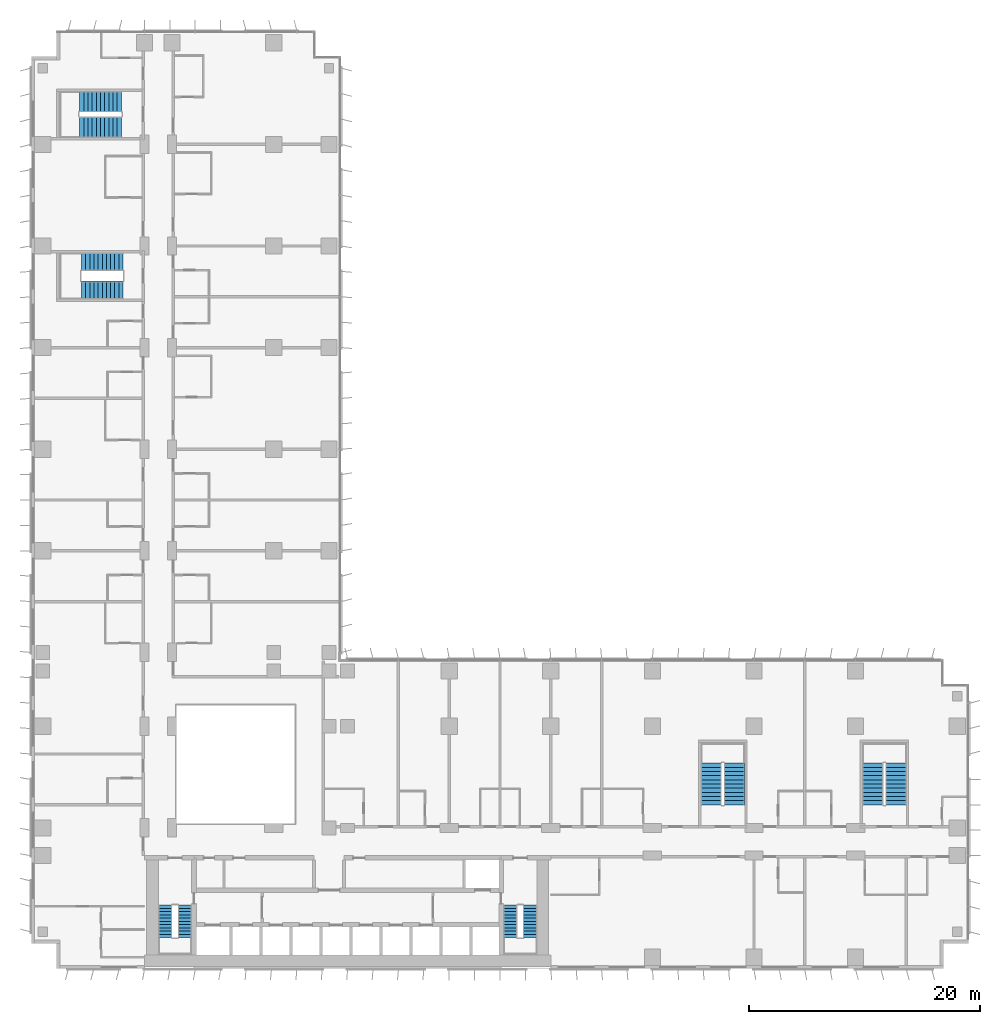
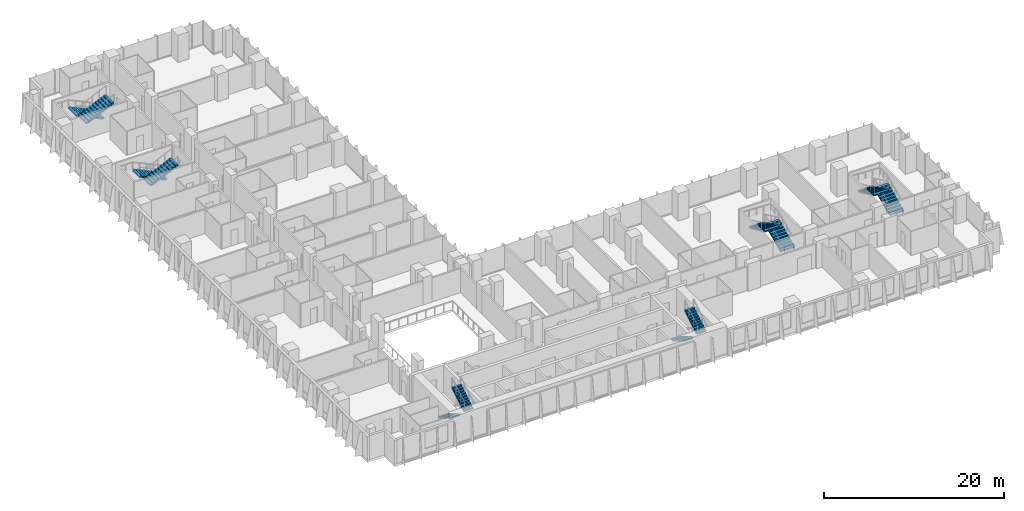
# One storey, part 19 of 23: 12 stair flights, 6 elements without a shape of their own.
"""IFC4 building model written with IfcOpenShell, lengths in metres."""

import ifcopenshell
import ifcopenshell.guid

model = None  # the IFC model being written
_history = None  # IfcOwnerHistory: only IFC2X3 demands one
_inside = {}  # id of a spatial element -> (the spatial element, [elements in it])
_under = {}  # id of a project, library or spatial element -> (it, [spatial elements below it])
_declared = {}  # id of a project -> (the project, [libraries it declares])
_typed = {}  # id of a type object -> (the type object, [elements of that type])
_made_of = {}  # id of a material, layer set ... -> (it, [elements and type objects made of it])


def new_model(schema):
    """Start an empty IFC model of exactly this schema.

    Asked for "IFC4X3", IfcOpenShell would pick the latest addendum, in which some entities
    have other attributes; the version numbers below select the first issue.
    IFC2X3 requires an IfcOwnerHistory on every rooted entity: one is made here for all.
    """
    global model, _history
    if schema == "IFC4X3":
        model = ifcopenshell.file(schema_version=(4, 3, 0, 0))
    else:
        model = ifcopenshell.file(schema=schema)
    _inside.clear()
    _under.clear()
    _declared.clear()
    _typed.clear()
    _made_of.clear()
    _history = None
    if model.schema == "IFC2X3":
        org = make("IfcOrganization", Name="unknown")
        user = make(
            "IfcPersonAndOrganization",
            ThePerson=make("IfcPerson", FamilyName="unknown"),
            TheOrganization=org,
        )
        app = make(
            "IfcApplication",
            ApplicationDeveloper=org,
            Version="unknown",
            ApplicationFullName="unknown",
            ApplicationIdentifier="unknown",
        )
        _history = make(
            "IfcOwnerHistory",
            OwningUser=user,
            OwningApplication=app,
            ChangeAction="ADDED",
            CreationDate=0,
        )
    return model


def make(cls, **values):
    """One entity of the class cls with the attributes given. An attribute that is None is left unset."""
    return model.create_entity(
        cls, **{name: value for name, value in values.items() if value is not None}
    )


def rooted(cls, **values):
    """An entity with a GlobalId (a new one), such as an element, a storey or a relation."""
    return make(cls, GlobalId=ifcopenshell.guid.new(), OwnerHistory=_history, **values)


def si_unit(unit_type, name, prefix=None):
    """IfcSIUnit, for example si_unit("LENGTHUNIT", "METRE", prefix="MILLI")."""
    return make("IfcSIUnit", UnitType=unit_type, Prefix=prefix, Name=name)


def assignment(units):
    """IfcUnitAssignment: the units of a project."""
    return None if units is None else make("IfcUnitAssignment", Units=units)


def point(xyz):
    """IfcCartesianPoint."""
    return None if xyz is None else make("IfcCartesianPoint", Coordinates=xyz)


def direction(xyz):
    """IfcDirection."""
    return None if xyz is None else make("IfcDirection", DirectionRatios=xyz)


def frame(location, z_axis=None, x_axis=None):
    """IfcAxis2Placement3D, a coordinate frame: its origin and axes. An axis left out is left unset."""
    return make(
        "IfcAxis2Placement3D",
        Location=point(location),
        Axis=direction(z_axis),
        RefDirection=direction(x_axis),
    )


def origin():
    """The frame at (0, 0, 0) with its axes left unset."""
    return frame((0.0, 0.0, 0.0))


def place(relative_to, where):
    """IfcLocalPlacement: puts the frame where relative to a parent placement (None: the world)."""
    return make(
        "IfcLocalPlacement", PlacementRelTo=relative_to, RelativePlacement=where
    )


def context(
    kind, dimensions, precision=None, world=None, true_north=None, identifier=None
):
    """IfcGeometricRepresentationContext, for example the 3D "Model" context."""
    return make(
        "IfcGeometricRepresentationContext",
        ContextIdentifier=identifier,
        ContextType=kind,
        CoordinateSpaceDimension=dimensions,
        Precision=precision,
        WorldCoordinateSystem=world,
        TrueNorth=true_north,
    )


def subcontext(parent, identifier, kind, view, scale=None):
    """IfcGeometricRepresentationSubContext, for example "Body" below "Model"."""
    return make(
        "IfcGeometricRepresentationSubContext",
        ContextIdentifier=identifier,
        ContextType=kind,
        ParentContext=parent,
        TargetScale=scale,
        TargetView=view,
    )


def project(units=None, contexts=None):
    """IfcProject with its units and contexts."""
    return rooted(
        "IfcProject",
        Name="project",
        RepresentationContexts=contexts,
        UnitsInContext=assignment(units),
    )


def spatial(cls, under=None, at=None, **own):
    """A site, building, storey or space (cls), placed at a placement, below another one or the project."""
    s = rooted(cls, ObjectPlacement=at, **own)
    if under is not None:
        _under.setdefault(under.id(), (under, []))[1].append(s)
    return s


def polyline(points):
    """IfcPolyline through the points."""
    return make("IfcPolyline", Points=[point(p) for p in points])


def outline(outer, holes=None, kind="AREA"):
    """IfcArbitraryClosedProfileDef: a profile drawn as a closed curve; with holes, ...WithVoids."""
    if holes is None:
        return make("IfcArbitraryClosedProfileDef", ProfileType=kind, OuterCurve=outer)
    return make(
        "IfcArbitraryProfileDefWithVoids",
        ProfileType=kind,
        OuterCurve=outer,
        InnerCurves=holes,
    )


def extrude(swept, where, along, depth):
    """IfcExtrudedAreaSolid: the profile swept, set in the frame where, extruded along a direction by depth."""
    return make(
        "IfcExtrudedAreaSolid",
        SweptArea=swept,
        Position=where,
        ExtrudedDirection=direction(along),
        Depth=depth,
    )


def shape(context_of_items, identifier, shape_type, items):
    """IfcShapeRepresentation: the items that make up one representation, for example the "Body"."""
    return make(
        "IfcShapeRepresentation",
        ContextOfItems=context_of_items,
        RepresentationIdentifier=identifier,
        RepresentationType=shape_type,
        Items=items,
    )


def material(Name=None, Category=None):
    """IfcMaterial."""
    return make("IfcMaterial", Name=Name, Category=Category)


def made_of(thing, what):
    """Note that an element or type object is made of a material, layer set ...; save() writes the relation."""
    if what is not None:
        _made_of.setdefault(what.id(), (what, []))[1].append(thing)
    return thing


def type_object(cls, material=None, **own):
    """A type object (cls), such as IfcWallType, which elements share."""
    return made_of(rooted(cls, **own), material)


def element(
    cls,
    number,
    at=None,
    inside=None,
    cuts=None,
    type_object=None,
    material=None,
    context=None,
    identifier="Body",
    shape_type=None,
    held_by="IfcProductDefinitionShape",
    body=None,
    shapes=None,
    **own,
):
    """One element of the class cls, such as IfcWall. Its Tag is "e" and its number.

    at: its placement. inside: the storey or other place that contains it. cuts: it is an
    opening in that element (IfcRelVoidsElement). A single representation is given by context,
    identifier, shape_type and body (its items); several are given by shapes. held_by: the class
    of the entity that holds the representations. save() writes the other relations.
    """
    e = rooted(cls, Tag="e%d" % number, ObjectPlacement=at, **own)
    if body is not None:
        shapes = [shape(context, identifier, shape_type, body)]
    if shapes is not None:
        e.Representation = make(held_by, Representations=shapes)
    if inside is not None:
        _inside.setdefault(inside.id(), (inside, []))[1].append(e)
    if cuts is not None:
        rooted(
            "IfcRelVoidsElement", RelatingBuildingElement=cuts, RelatedOpeningElement=e
        )
    if type_object is not None:
        _typed.setdefault(type_object.id(), (type_object, []))[1].append(e)
    return made_of(e, material)


def aggregate(whole, parts):
    """IfcRelAggregates: a whole, such as a stair, and the parts it consists of."""
    return rooted("IfcRelAggregates", RelatingObject=whole, RelatedObjects=parts)


def save(model, path):
    """Write the relations noted so far, then the file.

    IfcRelAggregates (storeys below a building ...), IfcRelContainedInSpatialStructure (elements
    in a storey), IfcRelDefinesByType, IfcRelAssociatesMaterial and IfcRelDeclares: one each for
    every whole, place, type object, material and project.
    """
    for whole, parts in _under.values():
        aggregate(whole, parts)
    for where, things in _inside.values():
        rooted(
            "IfcRelContainedInSpatialStructure",
            RelatedElements=things,
            RelatingStructure=where,
        )
    for kind, things in _typed.values():
        rooted("IfcRelDefinesByType", RelatedObjects=things, RelatingType=kind)
    for what, things in _made_of.values():
        rooted("IfcRelAssociatesMaterial", RelatedObjects=things, RelatingMaterial=what)
    for by, libraries in _declared.values():
        rooted("IfcRelDeclares", RelatingContext=by, RelatedDefinitions=libraries)
    model.write(path)


model = new_model("IFC4")

# Units and contexts
model_context = context("Model", 3, precision=1e-05, world=origin(), true_north=direction((0.0, 1.0)))
body_context = subcontext(model_context, "Body", "Model", "MODEL_VIEW")
ifc_project = project(units=[si_unit("LENGTHUNIT", "METRE"), si_unit("AREAUNIT", "SQUARE_METRE"), si_unit("VOLUMEUNIT", "CUBIC_METRE"), si_unit("PLANEANGLEUNIT", "RADIAN"), si_unit("MASSUNIT", "GRAM", prefix="KILO")], contexts=[model_context])

# Site, building, storey
site_placement = place(None, origin())
site = spatial("IfcSite", under=ifc_project, at=site_placement, CompositionType="ELEMENT")
building_placement = place(site_placement, origin())
building = spatial("IfcBuilding", under=site, at=building_placement, Name="Kemantara Hotel Tower", CompositionType="ELEMENT")
storey_placement = place(building_placement, frame((0.0, 0.0, 67.300048828125)))
storey = spatial("IfcBuildingStorey", under=building, at=storey_placement, Name="L15", CompositionType="ELEMENT", Elevation=67.300048828125)

# Stair, stair flights
ifc_material = material(Name="Concrete fc 40 MPa", Category="concrete")
stair_type_1 = type_object("IfcStairType", Name="Stair 1200 wide 22 risers of 168 x 280 mm", PredefinedType="HALF_TURN_STAIR", material=ifc_material)
stair_1_placement = place(storey_placement, origin())
stair_1 = element("IfcStair", 1, at=stair_1_placement, inside=storey, type_object=stair_type_1, Name="L15 Exit stair ST1", PredefinedType="HALF_TURN_STAIR")
stair_flight_type_1 = type_object("IfcStairFlightType", Name="Stair flight 1200 wide 168 x 280 mm", PredefinedType="STRAIGHT", material=ifc_material)
stair_flight_1_placement = place(storey_placement, frame((11.60009765625, 5.5, 0.0), z_axis=(0.0, 0.0, 1.0), x_axis=(0.0, -1.0, 0.0)))
stair_flight_1 = element("IfcStairFlight", 2, at=stair_flight_1_placement, type_object=stair_flight_type_1, Name="ST1 flight 1", NumberOfRisers=11, NumberOfTreads=10, PredefinedType="STRAIGHT", RiserHeight=0.168181818, TreadLength=0.28, context=body_context, shape_type="SweptSolid", body=[
    extrude(outline(polyline([(0.0, 0.0), (0.0, 0.168212890625), (0.280029296875, 0.168212890625), (0.280029296875, 0.33642578125), (0.56005859375, 0.33642578125), (0.56005859375, 0.504638671875), (0.840087890625, 0.504638671875), (0.840087890625, 0.672607421875), (1.1201171875, 0.672607421875), (1.1201171875, 0.8408203125), (1.39990234375, 0.8408203125), (1.39990234375, 1.009033203125), (1.679931640625, 1.009033203125), (1.679931640625, 1.17724609375), (1.9599609375, 1.17724609375), (1.9599609375, 1.345458984375), (2.239990234375, 1.345458984375), (2.239990234375, 1.513671875), (2.52001953125, 1.513671875), (2.52001953125, 1.681884765625), (2.800048828125, 1.681884765625), (2.800048828125, 1.85009765625), (2.800048828125, 1.5068359375), (0.291015625, 0.0), (0.0, 0.0)])), frame((0.0, 0.60009765625, 0.0), z_axis=(0.0, -1.0, 0.0), x_axis=(1.0, 0.0, 0.0)), (0.0, 0.0, 1.0), 1.199951171875),
])
stair_flight_2_placement = place(storey_placement, frame((13.300048828125, 2.699951171875, 1.849853515625), z_axis=(0.0, 0.0, 1.0), x_axis=(0.0, 1.0, 0.0)))
stair_flight_2 = element("IfcStairFlight", 3, at=stair_flight_2_placement, type_object=stair_flight_type_1, Name="ST1 flight 2", NumberOfRisers=11, NumberOfTreads=10, PredefinedType="STRAIGHT", RiserHeight=0.168181818, TreadLength=0.28, context=body_context, shape_type="SweptSolid", body=[
    extrude(outline(polyline([(0.0, 0.0), (0.0, 0.168212890625), (0.280029296875, 0.168212890625), (0.280029296875, 0.33642578125), (0.56005859375, 0.33642578125), (0.56005859375, 0.504638671875), (0.840087890625, 0.504638671875), (0.840087890625, 0.672607421875), (1.1201171875, 0.672607421875), (1.1201171875, 0.8408203125), (1.39990234375, 0.8408203125), (1.39990234375, 1.009033203125), (1.679931640625, 1.009033203125), (1.679931640625, 1.17724609375), (1.9599609375, 1.17724609375), (1.9599609375, 1.345458984375), (2.239990234375, 1.345458984375), (2.239990234375, 1.513671875), (2.52001953125, 1.513671875), (2.52001953125, 1.681884765625), (2.800048828125, 1.681884765625), (2.800048828125, 1.85009765625), (2.800048828125, 1.5068359375), (0.291015625, 0.0), (0.0, 0.0)])), frame((0.0, 0.60009765625, 0.0), z_axis=(0.0, -1.0, 0.0), x_axis=(1.0, 0.0, 0.0)), (0.0, 0.0, 1.0), 1.199951171875),
])
aggregate(stair_1, [stair_flight_1, stair_flight_2])

stair_2_placement = place(storey_placement, origin())
stair_2 = element("IfcStair", 4, at=stair_2_placement, inside=storey, type_object=stair_type_1, Name="L15 Exit stair ST2", PredefinedType="HALF_TURN_STAIR")
stair_flight_3_placement = place(storey_placement, frame((41.5, 5.5, 0.0), z_axis=(0.0, 0.0, 1.0), x_axis=(0.0, -1.0, 0.0)))
stair_flight_3 = element("IfcStairFlight", 5, at=stair_flight_3_placement, type_object=stair_flight_type_1, Name="ST2 flight 1", NumberOfRisers=11, NumberOfTreads=10, PredefinedType="STRAIGHT", RiserHeight=0.168181818, TreadLength=0.28, context=body_context, shape_type="SweptSolid", body=[
    extrude(outline(polyline([(0.0, 0.0), (0.0, 0.168212890625), (0.280029296875, 0.168212890625), (0.280029296875, 0.33642578125), (0.56005859375, 0.33642578125), (0.56005859375, 0.504638671875), (0.840087890625, 0.504638671875), (0.840087890625, 0.672607421875), (1.1201171875, 0.672607421875), (1.1201171875, 0.8408203125), (1.39990234375, 0.8408203125), (1.39990234375, 1.009033203125), (1.679931640625, 1.009033203125), (1.679931640625, 1.17724609375), (1.9599609375, 1.17724609375), (1.9599609375, 1.345458984375), (2.239990234375, 1.345458984375), (2.239990234375, 1.513671875), (2.52001953125, 1.513671875), (2.52001953125, 1.681884765625), (2.800048828125, 1.681884765625), (2.800048828125, 1.85009765625), (2.800048828125, 1.5068359375), (0.291015625, 0.0), (0.0, 0.0)])), frame((0.0, 0.60009765625, 0.0), z_axis=(0.0, -1.0, 0.0), x_axis=(1.0, 0.0, 0.0)), (0.0, 0.0, 1.0), 1.199951171875),
])
stair_flight_4_placement = place(storey_placement, frame((43.199951171875, 2.699951171875, 1.849853515625), z_axis=(0.0, 0.0, 1.0), x_axis=(0.0, 1.0, 0.0)))
stair_flight_4 = element("IfcStairFlight", 6, at=stair_flight_4_placement, type_object=stair_flight_type_1, Name="ST2 flight 2", NumberOfRisers=11, NumberOfTreads=10, PredefinedType="STRAIGHT", RiserHeight=0.168181818, TreadLength=0.28, context=body_context, shape_type="SweptSolid", body=[
    extrude(outline(polyline([(0.0, 0.0), (0.0, 0.168212890625), (0.280029296875, 0.168212890625), (0.280029296875, 0.33642578125), (0.56005859375, 0.33642578125), (0.56005859375, 0.504638671875), (0.840087890625, 0.504638671875), (0.840087890625, 0.672607421875), (1.1201171875, 0.672607421875), (1.1201171875, 0.8408203125), (1.39990234375, 0.8408203125), (1.39990234375, 1.009033203125), (1.679931640625, 1.009033203125), (1.679931640625, 1.17724609375), (1.9599609375, 1.17724609375), (1.9599609375, 1.345458984375), (2.239990234375, 1.345458984375), (2.239990234375, 1.513671875), (2.52001953125, 1.513671875), (2.52001953125, 1.681884765625), (2.800048828125, 1.681884765625), (2.800048828125, 1.85009765625), (2.800048828125, 1.5068359375), (0.291015625, 0.0), (0.0, 0.0)])), frame((0.0, 0.60009765625, 0.0), z_axis=(0.0, -1.0, 0.0), x_axis=(1.0, 0.0, 0.0)), (0.0, 0.0, 1.0), 1.199951171875),
])
aggregate(stair_2, [stair_flight_3, stair_flight_4])

stair_type_2 = type_object("IfcStairType", Name="Stair 1550 wide 22 risers of 168 x 360 mm", PredefinedType="HALF_TURN_STAIR", material=ifc_material)
stair_3_placement = place(storey_placement, origin())
stair_3 = element("IfcStair", 7, at=stair_3_placement, inside=storey, type_object=stair_type_2, Name="L15 Exit stair ST4", PredefinedType="HALF_TURN_STAIR")
stair_flight_type_2 = type_object("IfcStairFlightType", Name="Stair flight 1550 wide 168 x 360 mm", PredefinedType="STRAIGHT", material=ifc_material)
stair_flight_5_placement = place(storey_placement, frame((7.949951171875, 61.22509765625, 0.0), z_axis=(0.0, 0.0, 1.0), x_axis=(-1.0, 0.0, 0.0)))
stair_flight_5 = element("IfcStairFlight", 8, at=stair_flight_5_placement, type_object=stair_flight_type_2, Name="ST4 flight 1", NumberOfRisers=11, NumberOfTreads=10, PredefinedType="STRAIGHT", RiserHeight=0.168181818, TreadLength=0.36, context=body_context, shape_type="SweptSolid", body=[
    extrude(outline(polyline([(0.0, 0.0), (0.0, 0.168212890625), (0.360107421875, 0.168212890625), (0.360107421875, 0.33642578125), (0.719970703125, 0.33642578125), (0.719970703125, 0.504638671875), (1.080078125, 0.504638671875), (1.080078125, 0.672607421875), (1.43994140625, 0.672607421875), (1.43994140625, 0.8408203125), (1.800048828125, 0.8408203125), (1.800048828125, 1.009033203125), (2.159912109375, 1.009033203125), (2.159912109375, 1.17724609375), (2.52001953125, 1.17724609375), (2.52001953125, 1.345458984375), (2.8798828125, 1.345458984375), (2.8798828125, 1.513671875), (3.239990234375, 1.513671875), (3.239990234375, 1.681884765625), (3.60009765625, 1.681884765625), (3.60009765625, 1.85009765625), (3.60009765625, 1.516357421875), (0.354248046875, 0.0), (0.0, 0.0)])), frame((0.0, 0.77490234375, 0.0), z_axis=(0.0, -1.0, 0.0), x_axis=(1.0, 0.0, 0.0)), (0.0, 0.0, 1.0), 1.550048828125),
])
stair_flight_6_placement = place(storey_placement, frame((4.35009765625, 58.77490234375, 1.849853515625), z_axis=(0.0, 0.0, 1.0), x_axis=(1.0, 0.0, 0.0)))
stair_flight_6 = element("IfcStairFlight", 9, at=stair_flight_6_placement, type_object=stair_flight_type_2, Name="ST4 flight 2", NumberOfRisers=11, NumberOfTreads=10, PredefinedType="STRAIGHT", RiserHeight=0.168181818, TreadLength=0.36, context=body_context, shape_type="SweptSolid", body=[
    extrude(outline(polyline([(0.0, 0.0), (0.0, 0.168212890625), (0.360107421875, 0.168212890625), (0.360107421875, 0.33642578125), (0.719970703125, 0.33642578125), (0.719970703125, 0.504638671875), (1.080078125, 0.504638671875), (1.080078125, 0.672607421875), (1.43994140625, 0.672607421875), (1.43994140625, 0.8408203125), (1.800048828125, 0.8408203125), (1.800048828125, 1.009033203125), (2.159912109375, 1.009033203125), (2.159912109375, 1.17724609375), (2.52001953125, 1.17724609375), (2.52001953125, 1.345458984375), (2.8798828125, 1.345458984375), (2.8798828125, 1.513671875), (3.239990234375, 1.513671875), (3.239990234375, 1.681884765625), (3.60009765625, 1.681884765625), (3.60009765625, 1.85009765625), (3.60009765625, 1.516357421875), (0.354248046875, 0.0), (0.0, 0.0)])), frame((0.0, 0.77490234375, 0.0), z_axis=(0.0, -1.0, 0.0), x_axis=(1.0, 0.0, 0.0)), (0.0, 0.0, 1.0), 1.550048828125),
])
aggregate(stair_3, [stair_flight_5, stair_flight_6])

stair_type_3 = type_object("IfcStairType", Name="Stair 1800 wide 22 risers of 168 x 360 mm", PredefinedType="HALF_TURN_STAIR", material=ifc_material)
stair_4_placement = place(storey_placement, origin())
stair_4 = element("IfcStair", 10, at=stair_4_placement, inside=storey, type_object=stair_type_3, Name="L15 Exit stair ST3", PredefinedType="HALF_TURN_STAIR")
stair_flight_type_3 = type_object("IfcStairFlightType", Name="Stair flight 1800 wide 168 x 360 mm", PredefinedType="STRAIGHT", material=ifc_material)
stair_flight_7_placement = place(storey_placement, frame((60.89990234375, 14.199951171875, 0.0), z_axis=(0.0, 0.0, 1.0), x_axis=(0.0, 1.0, 0.0)))
stair_flight_7 = element("IfcStairFlight", 11, at=stair_flight_7_placement, type_object=stair_flight_type_3, Name="ST3 flight 1", NumberOfRisers=11, NumberOfTreads=10, PredefinedType="STRAIGHT", RiserHeight=0.168181818, TreadLength=0.36, context=body_context, shape_type="SweptSolid", body=[
    extrude(outline(polyline([(0.0, 0.0), (0.0, 0.168212890625), (0.360107421875, 0.168212890625), (0.360107421875, 0.33642578125), (0.719970703125, 0.33642578125), (0.719970703125, 0.504638671875), (1.080078125, 0.504638671875), (1.080078125, 0.672607421875), (1.43994140625, 0.672607421875), (1.43994140625, 0.8408203125), (1.800048828125, 0.8408203125), (1.800048828125, 1.009033203125), (2.159912109375, 1.009033203125), (2.159912109375, 1.17724609375), (2.52001953125, 1.17724609375), (2.52001953125, 1.345458984375), (2.8798828125, 1.345458984375), (2.8798828125, 1.513671875), (3.239990234375, 1.513671875), (3.239990234375, 1.681884765625), (3.60009765625, 1.681884765625), (3.60009765625, 1.85009765625), (3.60009765625, 1.516357421875), (0.354248046875, 0.0), (0.0, 0.0)])), frame((0.0, 0.89990234375, 0.0), z_axis=(0.0, -1.0, 0.0), x_axis=(1.0, 0.0, 0.0)), (0.0, 0.0, 1.0), 1.800048828125),
])
stair_flight_8_placement = place(storey_placement, frame((58.89990234375, 17.800048828125, 1.849853515625), z_axis=(0.0, 0.0, 1.0), x_axis=(0.0, -1.0, 0.0)))
stair_flight_8 = element("IfcStairFlight", 12, at=stair_flight_8_placement, type_object=stair_flight_type_3, Name="ST3 flight 2", NumberOfRisers=11, NumberOfTreads=10, PredefinedType="STRAIGHT", RiserHeight=0.168181818, TreadLength=0.36, context=body_context, shape_type="SweptSolid", body=[
    extrude(outline(polyline([(0.0, 0.0), (0.0, 0.168212890625), (0.360107421875, 0.168212890625), (0.360107421875, 0.33642578125), (0.719970703125, 0.33642578125), (0.719970703125, 0.504638671875), (1.080078125, 0.504638671875), (1.080078125, 0.672607421875), (1.43994140625, 0.672607421875), (1.43994140625, 0.8408203125), (1.800048828125, 0.8408203125), (1.800048828125, 1.009033203125), (2.159912109375, 1.009033203125), (2.159912109375, 1.17724609375), (2.52001953125, 1.17724609375), (2.52001953125, 1.345458984375), (2.8798828125, 1.345458984375), (2.8798828125, 1.513671875), (3.239990234375, 1.513671875), (3.239990234375, 1.681884765625), (3.60009765625, 1.681884765625), (3.60009765625, 1.85009765625), (3.60009765625, 1.516357421875), (0.354248046875, 0.0), (0.0, 0.0)])), frame((0.0, 0.89990234375, 0.0), z_axis=(0.0, -1.0, 0.0), x_axis=(1.0, 0.0, 0.0)), (0.0, 0.0, 1.0), 1.800048828125),
])
aggregate(stair_4, [stair_flight_7, stair_flight_8])

stair_5_placement = place(storey_placement, origin())
stair_5 = element("IfcStair", 13, at=stair_5_placement, inside=storey, type_object=stair_type_3, Name="L15 Exit stair ST5", PredefinedType="HALF_TURN_STAIR")
stair_flight_9_placement = place(storey_placement, frame((74.89990234375, 14.199951171875, 0.0), z_axis=(0.0, 0.0, 1.0), x_axis=(0.0, 1.0, 0.0)))
stair_flight_9 = element("IfcStairFlight", 14, at=stair_flight_9_placement, type_object=stair_flight_type_3, Name="ST5 flight 1", NumberOfRisers=11, NumberOfTreads=10, PredefinedType="STRAIGHT", RiserHeight=0.168181818, TreadLength=0.36, context=body_context, shape_type="SweptSolid", body=[
    extrude(outline(polyline([(0.0, 0.0), (0.0, 0.168212890625), (0.360107421875, 0.168212890625), (0.360107421875, 0.33642578125), (0.719970703125, 0.33642578125), (0.719970703125, 0.504638671875), (1.080078125, 0.504638671875), (1.080078125, 0.672607421875), (1.43994140625, 0.672607421875), (1.43994140625, 0.8408203125), (1.800048828125, 0.8408203125), (1.800048828125, 1.009033203125), (2.159912109375, 1.009033203125), (2.159912109375, 1.17724609375), (2.52001953125, 1.17724609375), (2.52001953125, 1.345458984375), (2.8798828125, 1.345458984375), (2.8798828125, 1.513671875), (3.239990234375, 1.513671875), (3.239990234375, 1.681884765625), (3.60009765625, 1.681884765625), (3.60009765625, 1.85009765625), (3.60009765625, 1.516357421875), (0.354248046875, 0.0), (0.0, 0.0)])), frame((0.0, 0.89990234375, 0.0), z_axis=(0.0, -1.0, 0.0), x_axis=(1.0, 0.0, 0.0)), (0.0, 0.0, 1.0), 1.800048828125),
])
stair_flight_10_placement = place(storey_placement, frame((72.89990234375, 17.800048828125, 1.849853515625), z_axis=(0.0, 0.0, 1.0), x_axis=(0.0, -1.0, 0.0)))
stair_flight_10 = element("IfcStairFlight", 15, at=stair_flight_10_placement, type_object=stair_flight_type_3, Name="ST5 flight 2", NumberOfRisers=11, NumberOfTreads=10, PredefinedType="STRAIGHT", RiserHeight=0.168181818, TreadLength=0.36, context=body_context, shape_type="SweptSolid", body=[
    extrude(outline(polyline([(0.0, 0.0), (0.0, 0.168212890625), (0.360107421875, 0.168212890625), (0.360107421875, 0.33642578125), (0.719970703125, 0.33642578125), (0.719970703125, 0.504638671875), (1.080078125, 0.504638671875), (1.080078125, 0.672607421875), (1.43994140625, 0.672607421875), (1.43994140625, 0.8408203125), (1.800048828125, 0.8408203125), (1.800048828125, 1.009033203125), (2.159912109375, 1.009033203125), (2.159912109375, 1.17724609375), (2.52001953125, 1.17724609375), (2.52001953125, 1.345458984375), (2.8798828125, 1.345458984375), (2.8798828125, 1.513671875), (3.239990234375, 1.513671875), (3.239990234375, 1.681884765625), (3.60009765625, 1.681884765625), (3.60009765625, 1.85009765625), (3.60009765625, 1.516357421875), (0.354248046875, 0.0), (0.0, 0.0)])), frame((0.0, 0.89990234375, 0.0), z_axis=(0.0, -1.0, 0.0), x_axis=(1.0, 0.0, 0.0)), (0.0, 0.0, 1.0), 1.800048828125),
])
aggregate(stair_5, [stair_flight_9, stair_flight_10])

stair_6_placement = place(storey_placement, origin())
stair_6 = element("IfcStair", 16, at=stair_6_placement, inside=storey, type_object=stair_type_3, Name="L15 Exit stair ST6", PredefinedType="HALF_TURN_STAIR")
stair_flight_11_placement = place(storey_placement, frame((7.800048828125, 75.10009765625, 0.0), z_axis=(0.0, 0.0, 1.0), x_axis=(-1.0, 0.0, 0.0)))
stair_flight_11 = element("IfcStairFlight", 17, at=stair_flight_11_placement, type_object=stair_flight_type_3, Name="ST6 flight 1", NumberOfRisers=11, NumberOfTreads=10, PredefinedType="STRAIGHT", RiserHeight=0.168181818, TreadLength=0.36, context=body_context, shape_type="SweptSolid", body=[
    extrude(outline(polyline([(0.0, 0.0), (0.0, 0.168212890625), (0.360107421875, 0.168212890625), (0.360107421875, 0.33642578125), (0.719970703125, 0.33642578125), (0.719970703125, 0.504638671875), (1.080078125, 0.504638671875), (1.080078125, 0.672607421875), (1.43994140625, 0.672607421875), (1.43994140625, 0.8408203125), (1.800048828125, 0.8408203125), (1.800048828125, 1.009033203125), (2.159912109375, 1.009033203125), (2.159912109375, 1.17724609375), (2.52001953125, 1.17724609375), (2.52001953125, 1.345458984375), (2.8798828125, 1.345458984375), (2.8798828125, 1.513671875), (3.239990234375, 1.513671875), (3.239990234375, 1.681884765625), (3.60009765625, 1.681884765625), (3.60009765625, 1.85009765625), (3.60009765625, 1.516357421875), (0.354248046875, 0.0), (0.0, 0.0)])), frame((0.0, 0.89990234375, 0.0), z_axis=(0.0, -1.0, 0.0), x_axis=(1.0, 0.0, 0.0)), (0.0, 0.0, 1.0), 1.800048828125),
])
stair_flight_12_placement = place(storey_placement, frame((4.199951171875, 72.89990234375, 1.849853515625), z_axis=(0.0, 0.0, 1.0), x_axis=(1.0, 0.0, 0.0)))
stair_flight_12 = element("IfcStairFlight", 18, at=stair_flight_12_placement, type_object=stair_flight_type_3, Name="ST6 flight 2", NumberOfRisers=11, NumberOfTreads=10, PredefinedType="STRAIGHT", RiserHeight=0.168181818, TreadLength=0.36, context=body_context, shape_type="SweptSolid", body=[
    extrude(outline(polyline([(0.0, 0.0), (0.0, 0.168212890625), (0.360107421875, 0.168212890625), (0.360107421875, 0.33642578125), (0.719970703125, 0.33642578125), (0.719970703125, 0.504638671875), (1.080078125, 0.504638671875), (1.080078125, 0.672607421875), (1.43994140625, 0.672607421875), (1.43994140625, 0.8408203125), (1.800048828125, 0.8408203125), (1.800048828125, 1.009033203125), (2.159912109375, 1.009033203125), (2.159912109375, 1.17724609375), (2.52001953125, 1.17724609375), (2.52001953125, 1.345458984375), (2.8798828125, 1.345458984375), (2.8798828125, 1.513671875), (3.239990234375, 1.513671875), (3.239990234375, 1.681884765625), (3.60009765625, 1.681884765625), (3.60009765625, 1.85009765625), (3.60009765625, 1.516357421875), (0.354248046875, 0.0), (0.0, 0.0)])), frame((0.0, 0.89990234375, 0.0), z_axis=(0.0, -1.0, 0.0), x_axis=(1.0, 0.0, 0.0)), (0.0, 0.0, 1.0), 1.800048828125),
])
aggregate(stair_6, [stair_flight_11, stair_flight_12])

save(model, "model.ifc")
